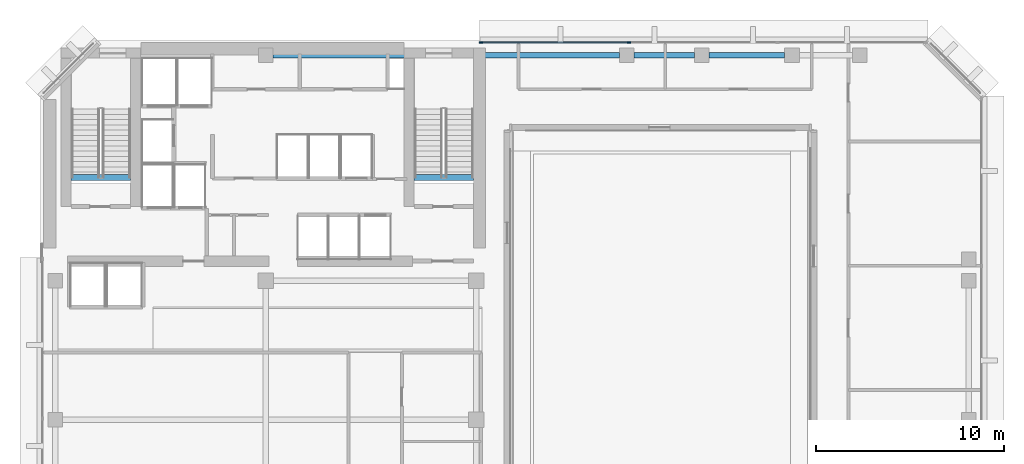
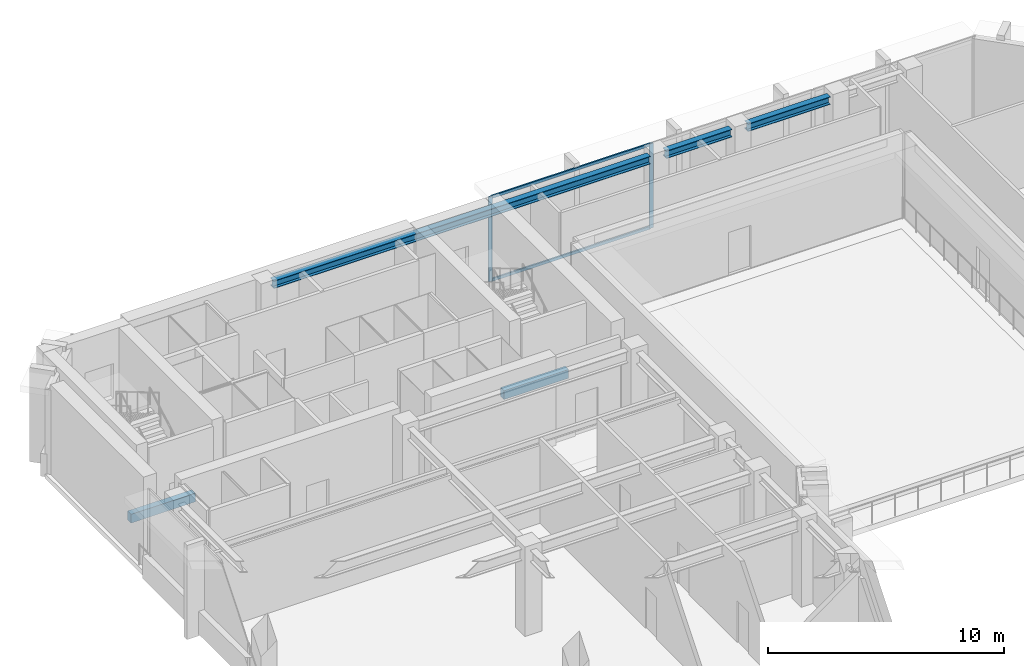
# One storey, part 4 of 12: 5 beams, 4 members, 1 element without a shape of its own.
"""IFC4 building model written with IfcOpenShell, lengths in metres."""

import ifcopenshell
import ifcopenshell.guid

model = None  # the IFC model being written
_history = None  # IfcOwnerHistory: only IFC2X3 demands one
_inside = {}  # id of a spatial element -> (the spatial element, [elements in it])
_under = {}  # id of a project, library or spatial element -> (it, [spatial elements below it])
_declared = {}  # id of a project -> (the project, [libraries it declares])
_typed = {}  # id of a type object -> (the type object, [elements of that type])
_made_of = {}  # id of a material, layer set ... -> (it, [elements and type objects made of it])


def new_model(schema):
    """Start an empty IFC model of exactly this schema.

    Asked for "IFC4X3", IfcOpenShell would pick the latest addendum, in which some entities
    have other attributes; the version numbers below select the first issue.
    IFC2X3 requires an IfcOwnerHistory on every rooted entity: one is made here for all.
    """
    global model, _history
    if schema == "IFC4X3":
        model = ifcopenshell.file(schema_version=(4, 3, 0, 0))
    else:
        model = ifcopenshell.file(schema=schema)
    _inside.clear()
    _under.clear()
    _declared.clear()
    _typed.clear()
    _made_of.clear()
    _history = None
    if model.schema == "IFC2X3":
        org = make("IfcOrganization", Name="unknown")
        user = make(
            "IfcPersonAndOrganization",
            ThePerson=make("IfcPerson", FamilyName="unknown"),
            TheOrganization=org,
        )
        app = make(
            "IfcApplication",
            ApplicationDeveloper=org,
            Version="unknown",
            ApplicationFullName="unknown",
            ApplicationIdentifier="unknown",
        )
        _history = make(
            "IfcOwnerHistory",
            OwningUser=user,
            OwningApplication=app,
            ChangeAction="ADDED",
            CreationDate=0,
        )
    return model


def make(cls, **values):
    """One entity of the class cls with the attributes given. An attribute that is None is left unset."""
    return model.create_entity(
        cls, **{name: value for name, value in values.items() if value is not None}
    )


def rooted(cls, **values):
    """An entity with a GlobalId (a new one), such as an element, a storey or a relation."""
    return make(cls, GlobalId=ifcopenshell.guid.new(), OwnerHistory=_history, **values)


def si_unit(unit_type, name, prefix=None):
    """IfcSIUnit, for example si_unit("LENGTHUNIT", "METRE", prefix="MILLI")."""
    return make("IfcSIUnit", UnitType=unit_type, Prefix=prefix, Name=name)


def assignment(units):
    """IfcUnitAssignment: the units of a project."""
    return None if units is None else make("IfcUnitAssignment", Units=units)


def point(xyz):
    """IfcCartesianPoint."""
    return None if xyz is None else make("IfcCartesianPoint", Coordinates=xyz)


def direction(xyz):
    """IfcDirection."""
    return None if xyz is None else make("IfcDirection", DirectionRatios=xyz)


def frame(location, z_axis=None, x_axis=None):
    """IfcAxis2Placement3D, a coordinate frame: its origin and axes. An axis left out is left unset."""
    return make(
        "IfcAxis2Placement3D",
        Location=point(location),
        Axis=direction(z_axis),
        RefDirection=direction(x_axis),
    )


def frame_2d(location, x_axis=None):
    """IfcAxis2Placement2D, a coordinate frame in the plane: its origin and x axis."""
    return make(
        "IfcAxis2Placement2D", Location=point(location), RefDirection=direction(x_axis)
    )


def origin():
    """The frame at (0, 0, 0) with its axes left unset."""
    return frame((0.0, 0.0, 0.0))


def origin_2d():
    """The frame at (0, 0) in the plane with its x axis left unset."""
    return frame_2d((0.0, 0.0))


def place(relative_to, where):
    """IfcLocalPlacement: puts the frame where relative to a parent placement (None: the world)."""
    return make(
        "IfcLocalPlacement", PlacementRelTo=relative_to, RelativePlacement=where
    )


def context(
    kind, dimensions, precision=None, world=None, true_north=None, identifier=None
):
    """IfcGeometricRepresentationContext, for example the 3D "Model" context."""
    return make(
        "IfcGeometricRepresentationContext",
        ContextIdentifier=identifier,
        ContextType=kind,
        CoordinateSpaceDimension=dimensions,
        Precision=precision,
        WorldCoordinateSystem=world,
        TrueNorth=true_north,
    )


def subcontext(parent, identifier, kind, view, scale=None):
    """IfcGeometricRepresentationSubContext, for example "Body" below "Model"."""
    return make(
        "IfcGeometricRepresentationSubContext",
        ContextIdentifier=identifier,
        ContextType=kind,
        ParentContext=parent,
        TargetScale=scale,
        TargetView=view,
    )


def project(units=None, contexts=None):
    """IfcProject with its units and contexts."""
    return rooted(
        "IfcProject",
        Name="project",
        RepresentationContexts=contexts,
        UnitsInContext=assignment(units),
    )


def spatial(cls, under=None, at=None, **own):
    """A site, building, storey or space (cls), placed at a placement, below another one or the project."""
    s = rooted(cls, ObjectPlacement=at, **own)
    if under is not None:
        _under.setdefault(under.id(), (under, []))[1].append(s)
    return s


def profile(cls, at=None, kind="AREA", **sizes):
    """A parametric profile (cls). Its sizes go by their IFC names, for example OverallWidth=200.0."""
    return make(cls, ProfileType=kind, Position=at, **sizes)


def rectangle(**sizes):
    """IfcRectangleProfileDef."""
    return profile("IfcRectangleProfileDef", **sizes)


def i_section(**sizes):
    """IfcIShapeProfileDef."""
    return profile("IfcIShapeProfileDef", **sizes)


def extrude(swept, where, along, depth):
    """IfcExtrudedAreaSolid: the profile swept, set in the frame where, extruded along a direction by depth."""
    return make(
        "IfcExtrudedAreaSolid",
        SweptArea=swept,
        Position=where,
        ExtrudedDirection=direction(along),
        Depth=depth,
    )


def shape(context_of_items, identifier, shape_type, items):
    """IfcShapeRepresentation: the items that make up one representation, for example the "Body"."""
    return make(
        "IfcShapeRepresentation",
        ContextOfItems=context_of_items,
        RepresentationIdentifier=identifier,
        RepresentationType=shape_type,
        Items=items,
    )


def material(Name=None, Category=None):
    """IfcMaterial."""
    return make("IfcMaterial", Name=Name, Category=Category)


def layer(
    of_material, thickness, ventilated=None, Name=None, Category=None, Priority=None
):
    """IfcMaterialLayer: one layer of a wall or slab, of a material (None: an air gap)."""
    return make(
        "IfcMaterialLayer",
        Material=of_material,
        LayerThickness=thickness,
        IsVentilated=ventilated,
        Name=Name,
        Category=Category,
        Priority=Priority,
    )


def layer_set(layers, Name=None):
    """IfcMaterialLayerSet."""
    return make("IfcMaterialLayerSet", MaterialLayers=layers, LayerSetName=Name)


def material_profile(
    of_material, cross_section, Name=None, Category=None, Priority=None
):
    """IfcMaterialProfile: a cross section and its material."""
    return make(
        "IfcMaterialProfile",
        Name=Name,
        Material=of_material,
        Profile=cross_section,
        Priority=Priority,
        Category=Category,
    )


def profile_set(profiles, Name=None, composite=None):
    """IfcMaterialProfileSet."""
    return make(
        "IfcMaterialProfileSet",
        Name=Name,
        MaterialProfiles=profiles,
        CompositeProfile=composite,
    )


def made_of(thing, what):
    """Note that an element or type object is made of a material, layer set ...; save() writes the relation."""
    if what is not None:
        _made_of.setdefault(what.id(), (what, []))[1].append(thing)
    return thing


def type_object(cls, material=None, **own):
    """A type object (cls), such as IfcWallType, which elements share."""
    return made_of(rooted(cls, **own), material)


def element(
    cls,
    number,
    at=None,
    inside=None,
    cuts=None,
    type_object=None,
    material=None,
    context=None,
    identifier="Body",
    shape_type=None,
    held_by="IfcProductDefinitionShape",
    body=None,
    shapes=None,
    **own,
):
    """One element of the class cls, such as IfcWall. Its Tag is "e" and its number.

    at: its placement. inside: the storey or other place that contains it. cuts: it is an
    opening in that element (IfcRelVoidsElement). A single representation is given by context,
    identifier, shape_type and body (its items); several are given by shapes. held_by: the class
    of the entity that holds the representations. save() writes the other relations.
    """
    e = rooted(cls, Tag="e%d" % number, ObjectPlacement=at, **own)
    if body is not None:
        shapes = [shape(context, identifier, shape_type, body)]
    if shapes is not None:
        e.Representation = make(held_by, Representations=shapes)
    if inside is not None:
        _inside.setdefault(inside.id(), (inside, []))[1].append(e)
    if cuts is not None:
        rooted(
            "IfcRelVoidsElement", RelatingBuildingElement=cuts, RelatedOpeningElement=e
        )
    if type_object is not None:
        _typed.setdefault(type_object.id(), (type_object, []))[1].append(e)
    return made_of(e, material)


def aggregate(whole, parts):
    """IfcRelAggregates: a whole, such as a stair, and the parts it consists of."""
    return rooted("IfcRelAggregates", RelatingObject=whole, RelatedObjects=parts)


def save(model, path):
    """Write the relations noted so far, then the file.

    IfcRelAggregates (storeys below a building ...), IfcRelContainedInSpatialStructure (elements
    in a storey), IfcRelDefinesByType, IfcRelAssociatesMaterial and IfcRelDeclares: one each for
    every whole, place, type object, material and project.
    """
    for whole, parts in _under.values():
        aggregate(whole, parts)
    for where, things in _inside.values():
        rooted(
            "IfcRelContainedInSpatialStructure",
            RelatedElements=things,
            RelatingStructure=where,
        )
    for kind, things in _typed.values():
        rooted("IfcRelDefinesByType", RelatedObjects=things, RelatingType=kind)
    for what, things in _made_of.values():
        rooted("IfcRelAssociatesMaterial", RelatedObjects=things, RelatingMaterial=what)
    for by, libraries in _declared.values():
        rooted("IfcRelDeclares", RelatingContext=by, RelatedDefinitions=libraries)
    model.write(path)


model = new_model("IFC4")

# Units and contexts
model_context = context("Model", 3, precision=1e-05, world=origin(), true_north=direction((0.0, 1.0)))
body_context = subcontext(model_context, "Body", "Model", "MODEL_VIEW")
ifc_project = project(units=[si_unit("LENGTHUNIT", "METRE"), si_unit("AREAUNIT", "SQUARE_METRE"), si_unit("VOLUMEUNIT", "CUBIC_METRE"), si_unit("PLANEANGLEUNIT", "RADIAN"), si_unit("MASSUNIT", "GRAM", prefix="KILO")], contexts=[model_context])

# Site, building, storey
site_placement = place(None, origin())
site = spatial("IfcSite", under=ifc_project, at=site_placement, CompositionType="ELEMENT")
building_placement = place(site_placement, origin())
building = spatial("IfcBuilding", under=site, at=building_placement, Name="Kefirva Bronze Tower", CompositionType="ELEMENT")
storey_placement = place(building_placement, frame((0.0, 0.0, 215.159912109375)))
storey = spatial("IfcBuildingStorey", under=building, at=storey_placement, Name="L52", CompositionType="ELEMENT", Elevation=215.159912109375)

# Curtain wall, members
ifc_material_1 = material(Name="Bronze anodised aluminium", Category="aluminium")
ifc_layer = layer(ifc_material_1, 0.179931640625, Name="Bronze anodised aluminium")
ifc_layer_set = layer_set([ifc_layer], Name="Bronze anodised aluminium")
curtain_wall_type = type_object("IfcCurtainWallType", Name="Unitised Bronze Ribbon Curtain Wall Zone 3", PredefinedType="USERDEFINED", material=ifc_layer_set)
curtain_wall_placement = place(storey_placement, origin())
curtain_wall = element("IfcCurtainWall", 1, at=curtain_wall_placement, inside=storey, type_object=curtain_wall_type, Name="L52 Curtain Wall 3", ObjectType="UNITISED CURTAIN WALL", PredefinedType="USERDEFINED")
ifc_material_profile_1 = material_profile(ifc_material_1, rectangle(XDim=0.074951171875, YDim=0.179931640625, at=origin_2d()), Name="ALU 75x180")
ifc_profile_set_1 = profile_set([ifc_material_profile_1], Name="Bronze anodised aluminium")
member_type_1 = type_object("IfcMemberType", Name="Bronze Mullion 75x180", PredefinedType="MULLION", material=ifc_profile_set_1)
member_1_placement = place(storey_placement, frame((31.318359375, 45.8798828125, 0.0), z_axis=(0.0, 0.0, 1.0), x_axis=(0.0, -1.0, 0.0)))
member_1 = element("IfcMember", 2, at=member_1_placement, type_object=member_type_1, Name="CW-03 mullion 3", PredefinedType="MULLION", context=body_context, shape_type="SweptSolid", body=[
    extrude(rectangle(XDim=0.074951171875, YDim=0.179931640625, at=origin_2d()), origin(), (0.0, 0.0, 1.0), 4.3701171875),
])
member_2_placement = place(storey_placement, frame((23.4423828125, 45.8798828125, 0.0), z_axis=(0.0, 0.0, 1.0), x_axis=(0.0, -1.0, 0.0)))
member_2 = element("IfcMember", 3, at=member_2_placement, type_object=member_type_1, Name="CW-03 mullion 4", PredefinedType="MULLION", context=body_context, shape_type="SweptSolid", body=[
    extrude(rectangle(XDim=0.074951171875, YDim=0.179931640625, at=origin_2d()), origin(), (0.0, 0.0, 1.0), 4.3701171875),
])
ifc_material_profile_2 = material_profile(ifc_material_1, rectangle(XDim=0.074951171875, YDim=0.14990234375, at=origin_2d()), Name="ALU 75x150")
ifc_profile_set_2 = profile_set([ifc_material_profile_2], Name="Bronze anodised aluminium")
member_type_2 = type_object("IfcMemberType", Name="Bronze Transom 75x150", PredefinedType="USERDEFINED", material=ifc_profile_set_2)
member_3_placement = place(storey_placement, frame((31.28076171875, 45.8798828125, 0.03759765625), z_axis=(-1.0, 0.0, 0.0), x_axis=(0.0, -1.0, 0.0)))
member_3 = element("IfcMember", 4, at=member_3_placement, type_object=member_type_2, Name="CW-03 transom 3.1", ObjectType="TRANSOM", PredefinedType="USERDEFINED", context=body_context, shape_type="SweptSolid", body=[
    extrude(rectangle(XDim=0.074951171875, YDim=0.14990234375, at=origin_2d()), origin(), (0.0, 0.0, 1.0), 7.80078125),
])
member_4_placement = place(storey_placement, frame((31.28076171875, 45.8798828125, 4.33251953125), z_axis=(-1.0, 0.0, 0.0), x_axis=(0.0, -1.0, 0.0)))
member_4 = element("IfcMember", 5, at=member_4_placement, type_object=member_type_2, Name="CW-03 transom 3.2", ObjectType="TRANSOM", PredefinedType="USERDEFINED", context=body_context, shape_type="SweptSolid", body=[
    extrude(rectangle(XDim=0.074951171875, YDim=0.14990234375, at=origin_2d()), origin(), (0.0, 0.0, 1.0), 7.80078125),
])
aggregate(curtain_wall, [member_1, member_2, member_3, member_4])

# Beams
ifc_material_2 = material(Name="Concrete C50/60", Category="concrete")
ifc_material_profile_3 = material_profile(ifc_material_2, rectangle(XDim=0.300048828125, YDim=0.449951171875, at=origin_2d()), Name="RC 300x450")
ifc_profile_set_3 = profile_set([ifc_material_profile_3], Name="Concrete C50/60")
beam_type_1 = type_object("IfcBeamType", Name="RC Stair Trimmer Beam 300x450", PredefinedType="BEAM", material=ifc_profile_set_3)
beam_1_placement = place(storey_placement, frame((1.64501953125, 38.699951171875, -0.224853515625), z_axis=(1.0, 0.0, 0.0), x_axis=(0.0, 1.0, 0.0)))
element("IfcBeam", 6, at=beam_1_placement, inside=storey, type_object=beam_type_1, Name="L52 Stair 1 Landing Trimmer Beam", PredefinedType="BEAM", context=body_context, shape_type="SweptSolid", body=[
    extrude(rectangle(XDim=0.300048828125, YDim=0.449951171875, at=origin_2d()), origin(), (0.0, 0.0, 1.0), 3.14990234375),
])
beam_2_placement = place(storey_placement, frame((19.89501953125, 38.699951171875, -0.224853515625), z_axis=(1.0, 0.0, 0.0), x_axis=(0.0, 1.0, 0.0)))
element("IfcBeam", 7, at=beam_2_placement, inside=storey, type_object=beam_type_1, Name="L52 Stair 2 Landing Trimmer Beam", PredefinedType="BEAM", context=body_context, shape_type="SweptSolid", body=[
    extrude(rectangle(XDim=0.300048828125, YDim=0.449951171875, at=origin_2d()), origin(), (0.0, 0.0, 1.0), 3.159912109375),
])
ifc_material_3 = material(Name="Steel S355", Category="steel")
ifc_material_profile_4 = material_profile(ifc_material_3, i_section(OverallWidth=0.300048828125, OverallDepth=0.39990234375, WebThickness=0.013427734375, FlangeThickness=0.02392578125, at=origin_2d()), Name="HEB 400")
ifc_profile_set_4 = profile_set([ifc_material_profile_4], Name="Steel S355")
beam_type_2 = type_object("IfcBeamType", Name="Steel Spandrel HEB 400 Ext", PredefinedType="SPANDREL", material=ifc_profile_set_4)
beam_3_placement = place(storey_placement, frame((12.389892578125, 45.199951171875, 4.170166015625), z_axis=(1.0, 0.0, 0.0), x_axis=(0.0, 1.0, 0.0)))
element("IfcBeam", 8, at=beam_3_placement, inside=storey, type_object=beam_type_2, Name="L52 BM-L52-EW-12-452", PredefinedType="SPANDREL", context=body_context, shape_type="SweptSolid", body=[
    extrude(i_section(OverallWidth=0.300048828125, OverallDepth=0.39990234375, WebThickness=0.013427734375, FlangeThickness=0.02392578125, at=origin_2d()), origin(), (0.0, 0.0, 1.0), 18.420166015625),
])
beam_4_placement = place(storey_placement, frame((31.590087890625, 45.199951171875, 4.170166015625), z_axis=(1.0, 0.0, 0.0), x_axis=(0.0, 1.0, 0.0)))
element("IfcBeam", 9, at=beam_4_placement, inside=storey, type_object=beam_type_2, Name="L52 BM-L52-EW-31-452", PredefinedType="SPANDREL", context=body_context, shape_type="SweptSolid", body=[
    extrude(i_section(OverallWidth=0.300048828125, OverallDepth=0.39990234375, WebThickness=0.013427734375, FlangeThickness=0.02392578125, at=origin_2d()), origin(), (0.0, 0.0, 1.0), 3.219970703125),
])
beam_5_placement = place(storey_placement, frame((35.590087890625, 45.199951171875, 4.170166015625), z_axis=(1.0, 0.0, 0.0), x_axis=(0.0, 1.0, 0.0)))
element("IfcBeam", 10, at=beam_5_placement, inside=storey, type_object=beam_type_2, Name="L52 BM-L52-EW-35-452", PredefinedType="SPANDREL", context=body_context, shape_type="SweptSolid", body=[
    extrude(i_section(OverallWidth=0.300048828125, OverallDepth=0.39990234375, WebThickness=0.013427734375, FlangeThickness=0.02392578125, at=origin_2d()), origin(), (0.0, 0.0, 1.0), 4.02001953125),
])

save(model, "model.ifc")
